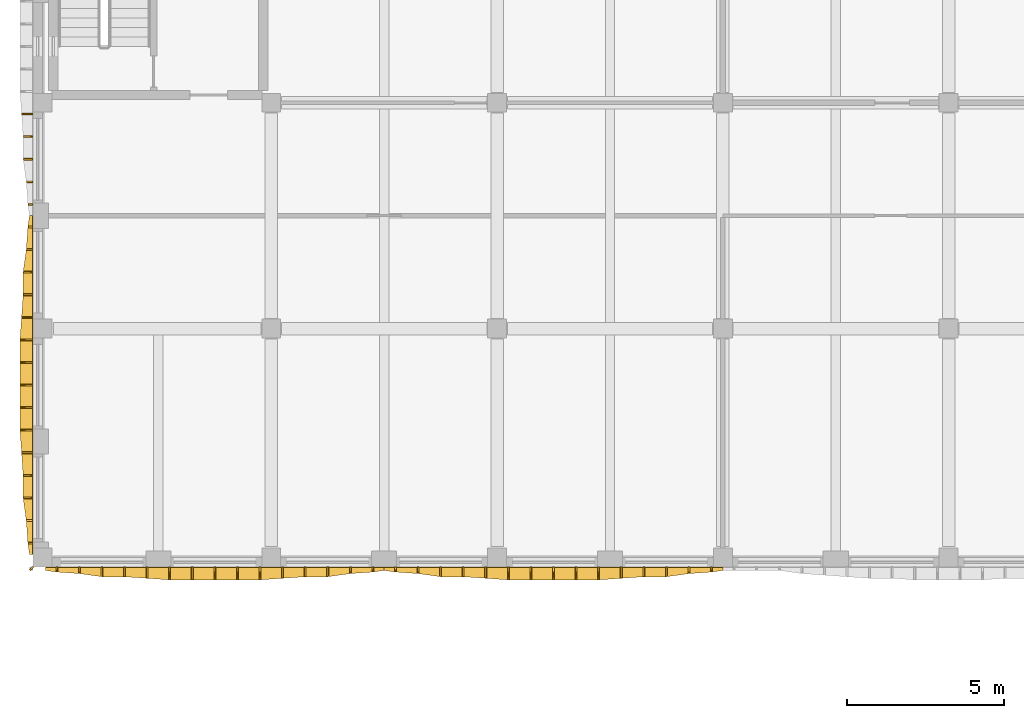
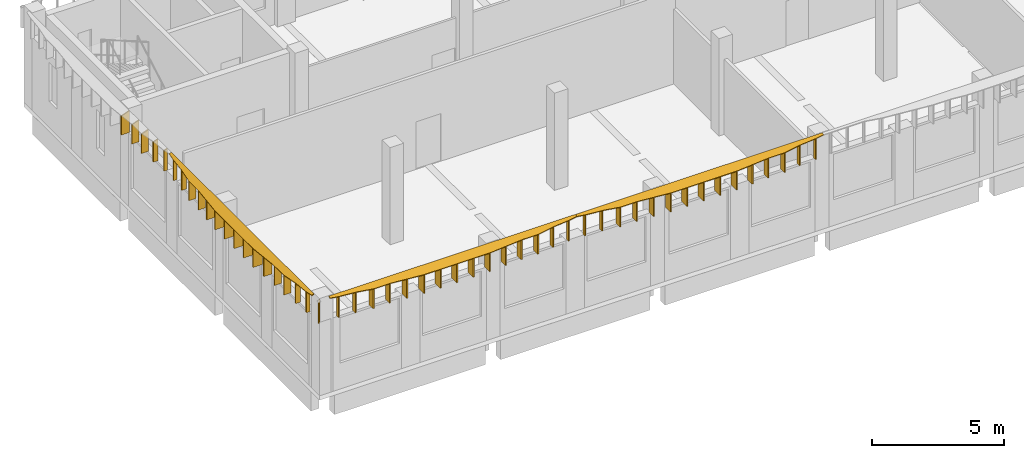
# One storey, part 30 of 44: 54 shading devices.
"""IFC4 building model written with IfcOpenShell, lengths in metres."""

import ifcopenshell
import ifcopenshell.guid

model = None  # the IFC model being written
_history = None  # IfcOwnerHistory: only IFC2X3 demands one
_inside = {}  # id of a spatial element -> (the spatial element, [elements in it])
_under = {}  # id of a project, library or spatial element -> (it, [spatial elements below it])
_declared = {}  # id of a project -> (the project, [libraries it declares])
_typed = {}  # id of a type object -> (the type object, [elements of that type])
_made_of = {}  # id of a material, layer set ... -> (it, [elements and type objects made of it])


def new_model(schema):
    """Start an empty IFC model of exactly this schema.

    Asked for "IFC4X3", IfcOpenShell would pick the latest addendum, in which some entities
    have other attributes; the version numbers below select the first issue.
    IFC2X3 requires an IfcOwnerHistory on every rooted entity: one is made here for all.
    """
    global model, _history
    if schema == "IFC4X3":
        model = ifcopenshell.file(schema_version=(4, 3, 0, 0))
    else:
        model = ifcopenshell.file(schema=schema)
    _inside.clear()
    _under.clear()
    _declared.clear()
    _typed.clear()
    _made_of.clear()
    _history = None
    if model.schema == "IFC2X3":
        org = make("IfcOrganization", Name="unknown")
        user = make(
            "IfcPersonAndOrganization",
            ThePerson=make("IfcPerson", FamilyName="unknown"),
            TheOrganization=org,
        )
        app = make(
            "IfcApplication",
            ApplicationDeveloper=org,
            Version="unknown",
            ApplicationFullName="unknown",
            ApplicationIdentifier="unknown",
        )
        _history = make(
            "IfcOwnerHistory",
            OwningUser=user,
            OwningApplication=app,
            ChangeAction="ADDED",
            CreationDate=0,
        )
    return model


def make(cls, **values):
    """One entity of the class cls with the attributes given. An attribute that is None is left unset."""
    return model.create_entity(
        cls, **{name: value for name, value in values.items() if value is not None}
    )


def rooted(cls, **values):
    """An entity with a GlobalId (a new one), such as an element, a storey or a relation."""
    return make(cls, GlobalId=ifcopenshell.guid.new(), OwnerHistory=_history, **values)


def si_unit(unit_type, name, prefix=None):
    """IfcSIUnit, for example si_unit("LENGTHUNIT", "METRE", prefix="MILLI")."""
    return make("IfcSIUnit", UnitType=unit_type, Prefix=prefix, Name=name)


def assignment(units):
    """IfcUnitAssignment: the units of a project."""
    return None if units is None else make("IfcUnitAssignment", Units=units)


def point(xyz):
    """IfcCartesianPoint."""
    return None if xyz is None else make("IfcCartesianPoint", Coordinates=xyz)


def direction(xyz):
    """IfcDirection."""
    return None if xyz is None else make("IfcDirection", DirectionRatios=xyz)


def frame(location, z_axis=None, x_axis=None):
    """IfcAxis2Placement3D, a coordinate frame: its origin and axes. An axis left out is left unset."""
    return make(
        "IfcAxis2Placement3D",
        Location=point(location),
        Axis=direction(z_axis),
        RefDirection=direction(x_axis),
    )


def origin():
    """The frame at (0, 0, 0) with its axes left unset."""
    return frame((0.0, 0.0, 0.0))


def place(relative_to, where):
    """IfcLocalPlacement: puts the frame where relative to a parent placement (None: the world)."""
    return make(
        "IfcLocalPlacement", PlacementRelTo=relative_to, RelativePlacement=where
    )


def context(
    kind, dimensions, precision=None, world=None, true_north=None, identifier=None
):
    """IfcGeometricRepresentationContext, for example the 3D "Model" context."""
    return make(
        "IfcGeometricRepresentationContext",
        ContextIdentifier=identifier,
        ContextType=kind,
        CoordinateSpaceDimension=dimensions,
        Precision=precision,
        WorldCoordinateSystem=world,
        TrueNorth=true_north,
    )


def subcontext(parent, identifier, kind, view, scale=None):
    """IfcGeometricRepresentationSubContext, for example "Body" below "Model"."""
    return make(
        "IfcGeometricRepresentationSubContext",
        ContextIdentifier=identifier,
        ContextType=kind,
        ParentContext=parent,
        TargetScale=scale,
        TargetView=view,
    )


def project(units=None, contexts=None):
    """IfcProject with its units and contexts."""
    return rooted(
        "IfcProject",
        Name="project",
        RepresentationContexts=contexts,
        UnitsInContext=assignment(units),
    )


def spatial(cls, under=None, at=None, **own):
    """A site, building, storey or space (cls), placed at a placement, below another one or the project."""
    s = rooted(cls, ObjectPlacement=at, **own)
    if under is not None:
        _under.setdefault(under.id(), (under, []))[1].append(s)
    return s


def polyline(points):
    """IfcPolyline through the points."""
    return make("IfcPolyline", Points=[point(p) for p in points])


def outline(outer, holes=None, kind="AREA"):
    """IfcArbitraryClosedProfileDef: a profile drawn as a closed curve; with holes, ...WithVoids."""
    if holes is None:
        return make("IfcArbitraryClosedProfileDef", ProfileType=kind, OuterCurve=outer)
    return make(
        "IfcArbitraryProfileDefWithVoids",
        ProfileType=kind,
        OuterCurve=outer,
        InnerCurves=holes,
    )


def extrude(swept, where, along, depth):
    """IfcExtrudedAreaSolid: the profile swept, set in the frame where, extruded along a direction by depth."""
    return make(
        "IfcExtrudedAreaSolid",
        SweptArea=swept,
        Position=where,
        ExtrudedDirection=direction(along),
        Depth=depth,
    )


def shape(context_of_items, identifier, shape_type, items):
    """IfcShapeRepresentation: the items that make up one representation, for example the "Body"."""
    return make(
        "IfcShapeRepresentation",
        ContextOfItems=context_of_items,
        RepresentationIdentifier=identifier,
        RepresentationType=shape_type,
        Items=items,
    )


def material(Name=None, Category=None):
    """IfcMaterial."""
    return make("IfcMaterial", Name=Name, Category=Category)


def layer(
    of_material, thickness, ventilated=None, Name=None, Category=None, Priority=None
):
    """IfcMaterialLayer: one layer of a wall or slab, of a material (None: an air gap)."""
    return make(
        "IfcMaterialLayer",
        Material=of_material,
        LayerThickness=thickness,
        IsVentilated=ventilated,
        Name=Name,
        Category=Category,
        Priority=Priority,
    )


def layer_set(layers, Name=None):
    """IfcMaterialLayerSet."""
    return make("IfcMaterialLayerSet", MaterialLayers=layers, LayerSetName=Name)


def made_of(thing, what):
    """Note that an element or type object is made of a material, layer set ...; save() writes the relation."""
    if what is not None:
        _made_of.setdefault(what.id(), (what, []))[1].append(thing)
    return thing


def type_object(cls, material=None, **own):
    """A type object (cls), such as IfcWallType, which elements share."""
    return made_of(rooted(cls, **own), material)


def element(
    cls,
    number,
    at=None,
    inside=None,
    cuts=None,
    type_object=None,
    material=None,
    context=None,
    identifier="Body",
    shape_type=None,
    held_by="IfcProductDefinitionShape",
    body=None,
    shapes=None,
    **own,
):
    """One element of the class cls, such as IfcWall. Its Tag is "e" and its number.

    at: its placement. inside: the storey or other place that contains it. cuts: it is an
    opening in that element (IfcRelVoidsElement). A single representation is given by context,
    identifier, shape_type and body (its items); several are given by shapes. held_by: the class
    of the entity that holds the representations. save() writes the other relations.
    """
    e = rooted(cls, Tag="e%d" % number, ObjectPlacement=at, **own)
    if body is not None:
        shapes = [shape(context, identifier, shape_type, body)]
    if shapes is not None:
        e.Representation = make(held_by, Representations=shapes)
    if inside is not None:
        _inside.setdefault(inside.id(), (inside, []))[1].append(e)
    if cuts is not None:
        rooted(
            "IfcRelVoidsElement", RelatingBuildingElement=cuts, RelatedOpeningElement=e
        )
    if type_object is not None:
        _typed.setdefault(type_object.id(), (type_object, []))[1].append(e)
    return made_of(e, material)


def aggregate(whole, parts):
    """IfcRelAggregates: a whole, such as a stair, and the parts it consists of."""
    return rooted("IfcRelAggregates", RelatingObject=whole, RelatedObjects=parts)


def save(model, path):
    """Write the relations noted so far, then the file.

    IfcRelAggregates (storeys below a building ...), IfcRelContainedInSpatialStructure (elements
    in a storey), IfcRelDefinesByType, IfcRelAssociatesMaterial and IfcRelDeclares: one each for
    every whole, place, type object, material and project.
    """
    for whole, parts in _under.values():
        aggregate(whole, parts)
    for where, things in _inside.values():
        rooted(
            "IfcRelContainedInSpatialStructure",
            RelatedElements=things,
            RelatingStructure=where,
        )
    for kind, things in _typed.values():
        rooted("IfcRelDefinesByType", RelatedObjects=things, RelatingType=kind)
    for what, things in _made_of.values():
        rooted("IfcRelAssociatesMaterial", RelatedObjects=things, RelatingMaterial=what)
    for by, libraries in _declared.values():
        rooted("IfcRelDeclares", RelatingContext=by, RelatedDefinitions=libraries)
    model.write(path)


model = new_model("IFC4")

# Units and contexts
model_context = context("Model", 3, precision=1e-05, world=origin(), true_north=direction((0.0, 1.0)))
body_context = subcontext(model_context, "Body", "Model", "MODEL_VIEW")
ifc_project = project(units=[si_unit("LENGTHUNIT", "METRE"), si_unit("AREAUNIT", "SQUARE_METRE"), si_unit("VOLUMEUNIT", "CUBIC_METRE"), si_unit("PLANEANGLEUNIT", "RADIAN"), si_unit("MASSUNIT", "GRAM", prefix="KILO")], contexts=[model_context])

# Site, building, storey
site_placement = place(None, origin())
site = spatial("IfcSite", under=ifc_project, at=site_placement, CompositionType="ELEMENT")
building_placement = place(site_placement, origin())
building = spatial("IfcBuilding", under=site, at=building_placement, Name="Ussher Court Research Institute", CompositionType="ELEMENT")
storey_placement = place(building_placement, frame((0.0, 0.0, 18.89990234375)))
storey = spatial("IfcBuildingStorey", under=building, at=storey_placement, Name="L04", CompositionType="ELEMENT", Elevation=18.89990234375)

# Shading devices
ifc_material_1 = material(Name="Bronze anodised aluminium", Category="aluminium")
ifc_layer_1 = layer(ifc_material_1, 0.050048828125)
ifc_layer_set_1 = layer_set([ifc_layer_1], Name="Bronze anodised aluminium")
shading_device_type_1 = type_object("IfcShadingDeviceType", Name="Brim blade 150 mm deep 1000 mm high canted 20 deg dry", PredefinedType="USERDEFINED", material=ifc_layer_set_1)
for number, where, z_axis, x_axis, name in (
    (1, (24.239990234375, 68.39990234375, 3.4501953125), (0.0, 0.0, 1.0), (0.0, -1.0, 0.0), "Brim blade BS16 L04"),
    (2, (14.159912109375, 68.39990234375, 3.4501953125), (0.0, 0.0, 1.0), (0.0, -1.0, 0.0), "Brim blade BS16 L04"),
    (3, (13.43994140625, 68.39990234375, 3.4501953125), (0.0, 0.0, 1.0), (0.0, -1.0, 0.0), "Brim blade BS16 L04"),
    (4, (3.360107421875, 68.39990234375, 3.4501953125), (0.0, 0.0, 1.0), (0.0, -1.0, 0.0), "Brim blade BS16 L04"),
):
    element("IfcShadingDevice", number, at=place(storey_placement, frame(where, z_axis=z_axis, x_axis=x_axis)), inside=storey, type_object=shading_device_type_1, Name=name, ObjectType="BLADE", PredefinedType="USERDEFINED", context=body_context, shape_type="SweptSolid", body=[
        extrude(outline(polyline([(0.0, 0.0), (0.14990234375, 0.0), (0.14990234375, 0.9453125), (0.0, 1.0), (0.0, 0.0)])), frame((0.0, 0.02490234375, 0.0), z_axis=(0.0, -1.0, 0.0), x_axis=(1.0, 0.0, 0.0)), (0.0, 0.0, 1.0), 0.050048828125),
    ])
for number, where, z_axis, x_axis, name in (
    (5, (2.60009765625, 69.159912109375, 3.4501953125), (0.0, 0.0, 1.0), (-1.0, 0.0, 0.0), "Brim blade BS16 L04"),
    (6, (2.60009765625, 79.239990234375, 3.4501953125), (0.0, 0.0, 1.0), (-1.0, 0.0, 0.0), "Brim blade BS16 L04"),
    (7, (2.60009765625, 79.9599609375, 3.4501953125), (0.0, 0.0, 1.0), (-1.0, 0.0, 0.0), "Brim blade BS16 L04"),
):
    element("IfcShadingDevice", number, at=place(storey_placement, frame(where, z_axis=z_axis, x_axis=x_axis)), inside=storey, type_object=shading_device_type_1, Name=name, ObjectType="BLADE", PredefinedType="USERDEFINED", context=body_context, shape_type="SweptSolid", body=[
        extrude(outline(polyline([(0.0, 0.0), (0.150146484375, 0.0), (0.14990234375, 0.9453125), (0.0, 1.0), (0.0, 0.0)])), frame((0.0, 0.02490234375, 0.0), z_axis=(0.0, -1.0, 0.0), x_axis=(1.0, 0.0, 0.0)), (0.0, 0.0, 1.0), 0.050048828125),
    ])
ifc_material_2 = material(Name="Bronze anodised aluminium", Category="aluminium")
ifc_layer_2 = layer(ifc_material_2, 0.050048828125)
ifc_layer_set_2 = layer_set([ifc_layer_2], Name="Bronze anodised aluminium")
shading_device_type_2 = type_object("IfcShadingDeviceType", Name="Brim blade 200 mm deep 1000 mm high canted 20 deg dry", PredefinedType="USERDEFINED", material=ifc_layer_set_2)
for number, where, z_axis, x_axis, name in (
    (8, (23.52001953125, 68.39990234375, 3.4501953125), (0.0, 0.0, 1.0), (0.0, -1.0, 0.0), "Brim blade BS15 L04"),
    (9, (14.8798828125, 68.39990234375, 3.4501953125), (0.0, 0.0, 1.0), (0.0, -1.0, 0.0), "Brim blade BS15 L04"),
    (10, (12.719970703125, 68.39990234375, 3.4501953125), (0.0, 0.0, 1.0), (0.0, -1.0, 0.0), "Brim blade BS15 L04"),
    (11, (4.080078125, 68.39990234375, 3.4501953125), (0.0, 0.0, 1.0), (0.0, -1.0, 0.0), "Brim blade BS15 L04"),
):
    element("IfcShadingDevice", number, at=place(storey_placement, frame(where, z_axis=z_axis, x_axis=x_axis)), inside=storey, type_object=shading_device_type_2, Name=name, ObjectType="BLADE", PredefinedType="USERDEFINED", context=body_context, shape_type="SweptSolid", body=[
        extrude(outline(polyline([(0.0, 0.0), (0.199951171875, 0.0), (0.199951171875, 0.927001953125), (0.0, 1.0), (0.0, 0.0)])), frame((0.0, 0.02490234375, 0.0), z_axis=(0.0, -1.0, 0.0), x_axis=(1.0, 0.0, 0.0)), (0.0, 0.0, 1.0), 0.050048828125),
    ])
for number, where, z_axis, x_axis, name in (
    (12, (2.60009765625, 69.8798828125, 3.4501953125), (0.0, 0.0, 1.0), (-1.0, 0.0, 0.0), "Brim blade BS15 L04"),
    (13, (2.60009765625, 78.52001953125, 3.4501953125), (0.0, 0.0, 1.0), (-1.0, 0.0, 0.0), "Brim blade BS15 L04"),
    (14, (2.60009765625, 80.679931640625, 3.4501953125), (0.0, 0.0, 1.0), (-1.0, 0.0, 0.0), "Brim blade BS15 L04"),
):
    element("IfcShadingDevice", number, at=place(storey_placement, frame(where, z_axis=z_axis, x_axis=x_axis)), inside=storey, type_object=shading_device_type_2, Name=name, ObjectType="BLADE", PredefinedType="USERDEFINED", context=body_context, shape_type="SweptSolid", body=[
        extrude(outline(polyline([(0.0, 0.0), (0.2001953125, 0.0), (0.199951171875, 0.927001953125), (0.0, 1.0), (0.0, 0.0)])), frame((0.0, 0.02490234375, 0.0), z_axis=(0.0, -1.0, 0.0), x_axis=(1.0, 0.0, 0.0)), (0.0, 0.0, 1.0), 0.050048828125),
    ])
ifc_material_3 = material(Name="Bronze anodised aluminium", Category="aluminium")
ifc_layer_3 = layer(ifc_material_3, 0.050048828125)
ifc_layer_set_3 = layer_set([ifc_layer_3], Name="Bronze anodised aluminium")
shading_device_type_3 = type_object("IfcShadingDeviceType", Name="Brim blade 300 mm deep 1000 mm high canted 20 deg dry", PredefinedType="USERDEFINED", material=ifc_layer_set_3)
for number, where, z_axis, x_axis, name in (
    (15, (22.800048828125, 68.39990234375, 3.4501953125), (0.0, 0.0, 1.0), (0.0, -1.0, 0.0), "Brim blade BS13 L04"),
    (16, (22.080078125, 68.39990234375, 3.4501953125), (0.0, 0.0, 1.0), (0.0, -1.0, 0.0), "Brim blade BS13 L04"),
    (17, (16.320068359375, 68.39990234375, 3.4501953125), (0.0, 0.0, 1.0), (0.0, -1.0, 0.0), "Brim blade BS13 L04"),
    (18, (15.60009765625, 68.39990234375, 3.4501953125), (0.0, 0.0, 1.0), (0.0, -1.0, 0.0), "Brim blade BS13 L04"),
    (19, (12.0, 68.39990234375, 3.4501953125), (0.0, 0.0, 1.0), (0.0, -1.0, 0.0), "Brim blade BS13 L04"),
    (20, (11.280029296875, 68.39990234375, 3.4501953125), (0.0, 0.0, 1.0), (0.0, -1.0, 0.0), "Brim blade BS13 L04"),
    (21, (5.52001953125, 68.39990234375, 3.4501953125), (0.0, 0.0, 1.0), (0.0, -1.0, 0.0), "Brim blade BS13 L04"),
    (22, (4.800048828125, 68.39990234375, 3.4501953125), (0.0, 0.0, 1.0), (0.0, -1.0, 0.0), "Brim blade BS13 L04"),
):
    element("IfcShadingDevice", number, at=place(storey_placement, frame(where, z_axis=z_axis, x_axis=x_axis)), inside=storey, type_object=shading_device_type_3, Name=name, ObjectType="BLADE", PredefinedType="USERDEFINED", context=body_context, shape_type="SweptSolid", body=[
        extrude(outline(polyline([(0.0, 0.0), (0.2998046875, 0.0), (0.300048828125, 0.890625), (0.0, 1.0), (0.0, 0.0)])), frame((0.0, 0.02490234375, 0.0), z_axis=(0.0, -1.0, 0.0), x_axis=(1.0, 0.0, 0.0)), (0.0, 0.0, 1.0), 0.050048828125),
    ])
for number, where, z_axis, x_axis, name in (
    (23, (2.60009765625, 70.60009765625, 3.4501953125), (0.0, 0.0, 1.0), (-1.0, 0.0, 0.0), "Brim blade BS13 L04"),
    (24, (2.60009765625, 71.320068359375, 3.4501953125), (0.0, 0.0, 1.0), (-1.0, 0.0, 0.0), "Brim blade BS13 L04"),
    (25, (2.60009765625, 77.080078125, 3.4501953125), (0.0, 0.0, 1.0), (-1.0, 0.0, 0.0), "Brim blade BS13 L04"),
    (26, (2.60009765625, 77.800048828125, 3.4501953125), (0.0, 0.0, 1.0), (-1.0, 0.0, 0.0), "Brim blade BS13 L04"),
    (27, (2.60009765625, 81.39990234375, 3.4501953125), (0.0, 0.0, 1.0), (-1.0, 0.0, 0.0), "Brim blade BS13 L04"),
    (28, (2.60009765625, 82.1201171875, 3.4501953125), (0.0, 0.0, 1.0), (-1.0, 0.0, 0.0), "Brim blade BS13 L04"),
):
    element("IfcShadingDevice", number, at=place(storey_placement, frame(where, z_axis=z_axis, x_axis=x_axis)), inside=storey, type_object=shading_device_type_3, Name=name, ObjectType="BLADE", PredefinedType="USERDEFINED", context=body_context, shape_type="SweptSolid", body=[
        extrude(outline(polyline([(0.0, 0.0), (0.300048828125, 0.0), (0.300048828125, 0.890625), (0.0, 1.0), (0.0, 0.0)])), frame((0.0, 0.02490234375, 0.0), z_axis=(0.0, -1.0, 0.0), x_axis=(1.0, 0.0, 0.0)), (0.0, 0.0, 1.0), 0.050048828125),
    ])
ifc_material_4 = material(Name="Bronze anodised aluminium", Category="aluminium")
ifc_layer_4 = layer(ifc_material_4, 0.050048828125)
ifc_layer_set_4 = layer_set([ifc_layer_4], Name="Bronze anodised aluminium")
shading_device_type_4 = type_object("IfcShadingDeviceType", Name="Brim blade 350 mm deep 1000 mm high canted 20 deg dry", PredefinedType="USERDEFINED", material=ifc_layer_set_4)
for number, where, z_axis, x_axis, name in (
    (29, (21.360107421875, 68.39990234375, 3.4501953125), (0.0, 0.0, 1.0), (0.0, -1.0, 0.0), "Brim blade BS12 L04"),
    (30, (17.0400390625, 68.39990234375, 3.4501953125), (0.0, 0.0, 1.0), (0.0, -1.0, 0.0), "Brim blade BS12 L04"),
    (31, (10.56005859375, 68.39990234375, 3.4501953125), (0.0, 0.0, 1.0), (0.0, -1.0, 0.0), "Brim blade BS12 L04"),
    (32, (6.239990234375, 68.39990234375, 3.4501953125), (0.0, 0.0, 1.0), (0.0, -1.0, 0.0), "Brim blade BS12 L04"),
):
    element("IfcShadingDevice", number, at=place(storey_placement, frame(where, z_axis=z_axis, x_axis=x_axis)), inside=storey, type_object=shading_device_type_4, Name=name, ObjectType="BLADE", PredefinedType="USERDEFINED", context=body_context, shape_type="SweptSolid", body=[
        extrude(outline(polyline([(0.0, 0.0), (0.349853515625, 0.0), (0.35009765625, 0.87255859375), (0.0, 1.0), (0.0, 0.0)])), frame((0.0, 0.02490234375, 0.0), z_axis=(0.0, -1.0, 0.0), x_axis=(1.0, 0.0, 0.0)), (0.0, 0.0, 1.0), 0.050048828125),
    ])
for number, where, z_axis, x_axis, name in (
    (33, (2.60009765625, 72.0400390625, 3.4501953125), (0.0, 0.0, 1.0), (-1.0, 0.0, 0.0), "Brim blade BS12 L04"),
    (34, (2.60009765625, 76.360107421875, 3.4501953125), (0.0, 0.0, 1.0), (-1.0, 0.0, 0.0), "Brim blade BS12 L04"),
    (35, (2.60009765625, 82.840087890625, 3.4501953125), (0.0, 0.0, 1.0), (-1.0, 0.0, 0.0), "Brim blade BS12 L04"),
):
    element("IfcShadingDevice", number, at=place(storey_placement, frame(where, z_axis=z_axis, x_axis=x_axis)), inside=storey, type_object=shading_device_type_4, Name=name, ObjectType="BLADE", PredefinedType="USERDEFINED", context=body_context, shape_type="SweptSolid", body=[
        extrude(outline(polyline([(0.0, 0.0), (0.35009765625, 0.0), (0.35009765625, 0.87255859375), (0.0, 1.0), (0.0, 0.0)])), frame((0.0, 0.02490234375, 0.0), z_axis=(0.0, -1.0, 0.0), x_axis=(1.0, 0.0, 0.0)), (0.0, 0.0, 1.0), 0.050048828125),
    ])
ifc_material_5 = material(Name="Bronze anodised aluminium", Category="aluminium")
ifc_layer_5 = layer(ifc_material_5, 0.050048828125)
ifc_layer_set_5 = layer_set([ifc_layer_5], Name="Bronze anodised aluminium")
shading_device_type_5 = type_object("IfcShadingDeviceType", Name="Brim blade 400 mm deep 1000 mm high canted 20 deg dry", PredefinedType="USERDEFINED", material=ifc_layer_set_5)
for number, where, z_axis, x_axis, name in (
    (36, (20.639892578125, 68.39990234375, 3.4501953125), (0.0, 0.0, 1.0), (0.0, -1.0, 0.0), "Brim blade BS11 L04"),
    (37, (19.919921875, 68.39990234375, 3.4501953125), (0.0, 0.0, 1.0), (0.0, -1.0, 0.0), "Brim blade BS11 L04"),
    (38, (19.199951171875, 68.39990234375, 3.4501953125), (0.0, 0.0, 1.0), (0.0, -1.0, 0.0), "Brim blade BS11 L04"),
    (39, (18.47998046875, 68.39990234375, 3.4501953125), (0.0, 0.0, 1.0), (0.0, -1.0, 0.0), "Brim blade BS11 L04"),
    (40, (17.760009765625, 68.39990234375, 3.4501953125), (0.0, 0.0, 1.0), (0.0, -1.0, 0.0), "Brim blade BS11 L04"),
    (41, (9.840087890625, 68.39990234375, 3.4501953125), (0.0, 0.0, 1.0), (0.0, -1.0, 0.0), "Brim blade BS11 L04"),
    (42, (9.1201171875, 68.39990234375, 3.4501953125), (0.0, 0.0, 1.0), (0.0, -1.0, 0.0), "Brim blade BS11 L04"),
    (43, (8.39990234375, 68.39990234375, 3.4501953125), (0.0, 0.0, 1.0), (0.0, -1.0, 0.0), "Brim blade BS11 L04"),
    (44, (7.679931640625, 68.39990234375, 3.4501953125), (0.0, 0.0, 1.0), (0.0, -1.0, 0.0), "Brim blade BS11 L04"),
    (45, (6.9599609375, 68.39990234375, 3.4501953125), (0.0, 0.0, 1.0), (0.0, -1.0, 0.0), "Brim blade BS11 L04"),
):
    element("IfcShadingDevice", number, at=place(storey_placement, frame(where, z_axis=z_axis, x_axis=x_axis)), inside=storey, type_object=shading_device_type_5, Name=name, ObjectType="BLADE", PredefinedType="USERDEFINED", context=body_context, shape_type="SweptSolid", body=[
        extrude(outline(polyline([(0.0, 0.0), (0.39990234375, 0.0), (0.39990234375, 0.854248046875), (0.0, 1.0), (0.0, 0.0)])), frame((0.0, 0.02490234375, 0.0), z_axis=(0.0, -1.0, 0.0), x_axis=(1.0, 0.0, 0.0)), (0.0, 0.0, 1.0), 0.050048828125),
    ])
for number, where, z_axis, x_axis, name in (
    (46, (2.60009765625, 72.760009765625, 3.4501953125), (0.0, 0.0, 1.0), (-1.0, 0.0, 0.0), "Brim blade BS11 L04"),
    (47, (2.60009765625, 73.47998046875, 3.4501953125), (0.0, 0.0, 1.0), (-1.0, 0.0, 0.0), "Brim blade BS11 L04"),
    (48, (2.60009765625, 74.199951171875, 3.4501953125), (0.0, 0.0, 1.0), (-1.0, 0.0, 0.0), "Brim blade BS11 L04"),
    (49, (2.60009765625, 74.919921875, 3.4501953125), (0.0, 0.0, 1.0), (-1.0, 0.0, 0.0), "Brim blade BS11 L04"),
    (50, (2.60009765625, 75.639892578125, 3.4501953125), (0.0, 0.0, 1.0), (-1.0, 0.0, 0.0), "Brim blade BS11 L04"),
):
    element("IfcShadingDevice", number, at=place(storey_placement, frame(where, z_axis=z_axis, x_axis=x_axis)), inside=storey, type_object=shading_device_type_5, Name=name, ObjectType="BLADE", PredefinedType="USERDEFINED", context=body_context, shape_type="SweptSolid", body=[
        extrude(outline(polyline([(0.0, 0.0), (0.400146484375, 0.0), (0.39990234375, 0.854248046875), (0.0, 1.0), (0.0, 0.0)])), frame((0.0, 0.02490234375, 0.0), z_axis=(0.0, -1.0, 0.0), x_axis=(1.0, 0.0, 0.0)), (0.0, 0.0, 1.0), 0.050048828125),
    ])
ifc_material_6 = material(Name="Bronze anodised aluminium", Category="aluminium")
ifc_layer_6 = layer(ifc_material_6, 0.050048828125)
ifc_layer_set_6 = layer_set([ifc_layer_6], Name="Bronze anodised aluminium")
shading_device_type_6 = type_object("IfcShadingDeviceType", Name="Brim mitre blade 100 mm deep 1000 mm high canted 20 deg dry", PredefinedType="USERDEFINED", material=ifc_layer_set_6)
shading_device_1_placement = place(storey_placement, frame((2.60009765625, 68.39990234375, 3.4501953125), z_axis=(0.0, 0.0, 1.0), x_axis=(-0.707969631694, -0.706242876495, 0.0)))
element("IfcShadingDevice", 51, at=shading_device_1_placement, inside=storey, type_object=shading_device_type_6, Name="Brim mitre blade BS19 L04", ObjectType="BLADE", PredefinedType="USERDEFINED", context=body_context, shape_type="SweptSolid", body=[
    extrude(outline(polyline([(0.0, 0.0), (0.141357421875, 0.0), (0.141357421875, 0.927001953125), (0.0, 1.0), (0.0, 0.0)])), frame((0.0, 0.02490234375, 0.0), z_axis=(0.0, -1.0, 0.0), x_axis=(1.0, 0.0, 0.0)), (0.0, 0.0, 1.0), 0.050048828125),
])
ifc_material_7 = material(Name="Bronze anodised aluminium", Category="aluminium")
ifc_layer_7 = layer(ifc_material_7, 0.0400390625)
ifc_layer_set_7 = layer_set([ifc_layer_7], Name="Bronze anodised aluminium")
shading_device_type_7 = type_object("IfcShadingDeviceType", Name="Brim visor sheet 40 mm canted 20 deg dry", PredefinedType="USERDEFINED", material=ifc_layer_set_7)
shading_device_2_placement = place(storey_placement, frame((24.60009765625, 68.38623046875, 4.48779296875), z_axis=(0.0, -0.34247777449, 0.939525930446), x_axis=(-1.0, 0.0, 0.0)))
element("IfcShadingDevice", 52, at=shading_device_2_placement, inside=storey, type_object=shading_device_type_7, Name="Brim visor sheet BR2 L04", ObjectType="BRIM", PredefinedType="USERDEFINED", context=body_context, shape_type="SweptSolid", body=[
    extrude(outline(polyline([(0.0, 0.0), (10.800048828125, 0.0), (10.800048828125, 0.10627326512485698), (10.440185546875, 0.15956639228017316), (9.72021484375, 0.21285951943548934), (9.0, 0.31936216100820913), (8.280029296875, 0.31936216100820913), (7.56005859375, 0.37234229897774984), (6.840087890625, 0.42563542613306604), (6.1201171875, 0.42563542613306604), (5.400146484375, 0.42563542613306604), (4.68017578125, 0.42563542613306604), (3.960205078125, 0.42563542613306604), (3.239990234375, 0.37234229897774984), (2.52001953125, 0.31936216100820913), (1.800048828125, 0.31936216100820913), (1.080078125, 0.21285951943548934), (0.360107421875, 0.15956639228017316), (0.0, 0.10627326512485698), (0.0, 0.0)])), origin(), (0.0, 0.0, -1.0), 0.0400390625),
])
shading_device_3_placement = place(storey_placement, frame((13.800048828125, 68.38623046875, 4.48779296875), z_axis=(0.0, -0.342477773799, 0.939525930698), x_axis=(-1.0, 0.0, 0.0)))
element("IfcShadingDevice", 53, at=shading_device_3_placement, inside=storey, type_object=shading_device_type_7, Name="Brim visor sheet BR2 L04", ObjectType="BRIM", PredefinedType="USERDEFINED", context=body_context, shape_type="SweptSolid", body=[
    extrude(outline(polyline([(0.0, 0.0), (10.800048828125, 0.0), (10.800048828125, 0.10627326512487205), (10.43994140625, 0.1595663922801422), (9.719970703125, 0.21285951943541234), (9.0, 0.31936216100820863), (8.280029296875, 0.31936216100820863), (7.56005859375, 0.37234229897781057), (6.840087890625, 0.4256354261330807), (6.1201171875, 0.4256354261330807), (5.400146484375, 0.4256354261330807), (4.679931640625, 0.4256354261330807), (3.9599609375, 0.4256354261330807), (3.239990234375, 0.37234229897781057), (2.52001953125, 0.31936216100820863), (1.800048828125, 0.31936216100820863), (1.080078125, 0.21285951943541234), (0.360107421875, 0.1595663922801422), (0.0, 0.10627326512487205), (0.0, 0.0)])), origin(), (0.0, 0.0, -1.0), 0.0400390625),
])
shading_device_4_placement = place(storey_placement, frame((2.586181640625, 68.800048828125, 4.48779296875), z_axis=(-0.342542327923, 0.0, 0.939502396794), x_axis=(0.0, 1.0, 0.0)))
element("IfcShadingDevice", 54, at=shading_device_4_placement, inside=storey, type_object=shading_device_type_7, Name="Brim visor sheet BR2 L04", ObjectType="BRIM", PredefinedType="USERDEFINED", context=body_context, shape_type="SweptSolid", body=[
    extrude(outline(polyline([(0.0, 0.0), (10.800048828125, 0.0), (10.800048828125, 0.10627326346414724), (10.43994140625, 0.159566394796406), (9.719970703125, 0.2128595261286647), (9.0, 0.319132789592812), (8.280029296875, 0.319132789592812), (7.56005859375, 0.37234229242704264), (6.83984375, 0.4256354237593014), (6.119873046875, 0.4256354237593014), (5.39990234375, 0.4256354237593014), (4.679931640625, 0.4256354237593014), (3.9599609375, 0.4256354237593014), (3.239990234375, 0.37234229242704264), (2.52001953125, 0.319132789592812), (1.800048828125, 0.319132789592812), (1.079833984375, 0.2128595261286647), (0.35986328125, 0.159566394796406), (0.0, 0.10627326346414724), (0.0, 0.0)])), origin(), (0.0, 0.0, -1.0), 0.0400390625),
])

save(model, "model.ifc")
